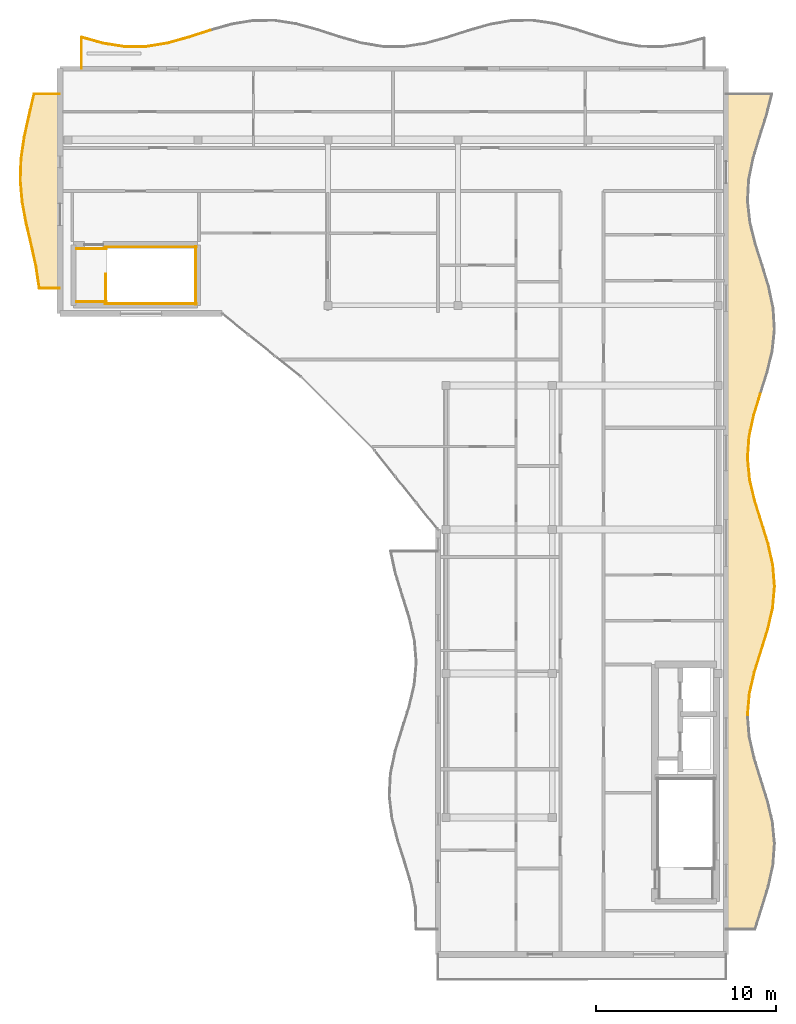
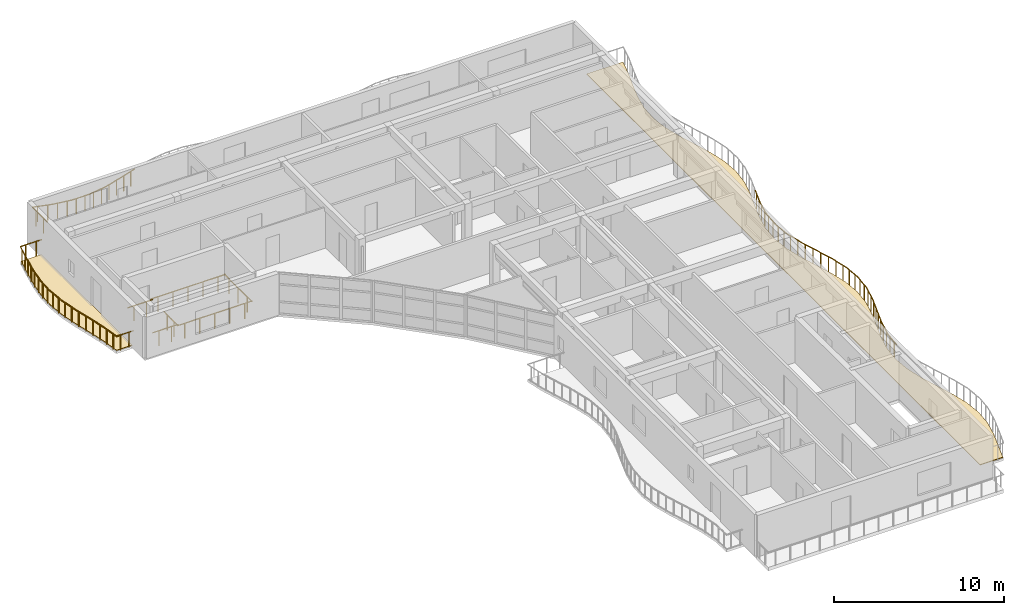
# One storey, part 13 of 14: 39 railings, 2 coverings.
"""IFC4 building model written with IfcOpenShell, lengths in metres."""

from ifc_helpers import new_model, si_unit, direction, frame, origin, origin_2d, place, context, subcontext, project, spatial, polyline, circle, outline, extrude, material, layer, layer_set, type_object, element, save


model = new_model("IFC4")

# Units and contexts
model_context = context("Model", 3, precision=1e-05, world=origin(), true_north=direction((0.0, 1.0)))
body_context = subcontext(model_context, "Body", "Model", "MODEL_VIEW")
ifc_project = project(units=[si_unit("LENGTHUNIT", "METRE"), si_unit("AREAUNIT", "SQUARE_METRE"), si_unit("VOLUMEUNIT", "CUBIC_METRE"), si_unit("PLANEANGLEUNIT", "RADIAN"), si_unit("MASSUNIT", "GRAM", prefix="KILO")], contexts=[model_context])

# Site, building, storey
site_placement = place(None, origin())
site = spatial("IfcSite", under=ifc_project, at=site_placement, CompositionType="ELEMENT")
building_placement = place(site_placement, origin())
building = spatial("IfcBuilding", under=site, at=building_placement, Name="Keldmere Railside Commons", CompositionType="ELEMENT")
storey_placement = place(building_placement, frame((0.0, 0.0, 42.56005859375)))
storey = spatial("IfcBuildingStorey", under=building, at=storey_placement, Name="L13", CompositionType="ELEMENT", Elevation=42.56005859375)

# Railings
ifc_material_1 = material(Name="Steel F-24 (S235)", Category="steel")
railing_type_1 = type_object("IfcRailingType", Name="Balcony & Terrace Steel Balustrade 1100", PredefinedType="BALUSTRADE", material=ifc_material_1)
railing_1_placement = place(storey_placement, frame((148.199951171875, 113.60009765625, 0.0)))
element("IfcRailing", 1, at=railing_1_placement, inside=storey, type_object=railing_type_1, Name="GR-1 GRD-L13-4652", PredefinedType="BALUSTRADE", context=body_context, shape_type="SweptSolid", body=[
    extrude(circle(Radius=0.02392578125, at=origin_2d()), frame((0.0, 0.0, 1.076171875), z_axis=(0.0, 1.0, 0.0), x_axis=(-1.0, 0.0, 0.0)), (0.0, 0.0, 1.0), 1.74609375),
    extrude(circle(Radius=0.02099609375, at=origin_2d()), frame((0.0, 0.4365234375, 0.0)), (0.0, 0.0, 1.0), 1.048095703125),
    extrude(circle(Radius=0.02099609375, at=origin_2d()), frame((0.0, 1.3095703125, 0.0)), (0.0, 0.0, 1.0), 1.048095703125),
])
railing_2_placement = place(storey_placement, frame((148.199951171875, 115.34619140625, 0.0)))
element("IfcRailing", 2, at=railing_2_placement, inside=storey, type_object=railing_type_1, Name="GR-1 GRD-L13-4653", PredefinedType="BALUSTRADE", context=body_context, shape_type="SweptSolid", body=[
    extrude(circle(Radius=0.02392578125, at=origin_2d()), frame((0.0, 0.0, 1.076171875), z_axis=(0.963390709295, -0.268101363749, 0.0), x_axis=(0.268101363749, 0.963390709295, 0.0)), (0.0, 0.0, 1.0), 1.238525390625),
    extrude(circle(Radius=0.02099609375, at=origin_2d()), frame((0.29833984375, -0.0830078125, 0.0)), (0.0, 0.0, 1.0), 1.048095703125),
    extrude(circle(Radius=0.02099609375, at=origin_2d()), frame((0.894775390625, -0.2490234375, 0.0)), (0.0, 0.0, 1.0), 1.048095703125),
])
railing_3_placement = place(storey_placement, frame((149.39306640625, 115.01416015625, 0.0)))
element("IfcRailing", 3, at=railing_3_placement, inside=storey, type_object=railing_type_1, Name="GR-1 GRD-L13-4654", PredefinedType="BALUSTRADE", context=body_context, shape_type="SweptSolid", body=[
    extrude(circle(Radius=0.02392578125, at=origin_2d()), frame((0.0, 0.0, 1.076171875), z_axis=(0.987563910611, -0.157218072939, 0.0), x_axis=(0.157218072939, 0.987563910611, 0.0)), (0.0, 0.0, 1.0), 1.208251953125),
    extrude(circle(Radius=0.02099609375, at=origin_2d()), frame((0.29833984375, -0.04736328125, 0.0)), (0.0, 0.0, 1.0), 1.048095703125),
    extrude(circle(Radius=0.02099609375, at=origin_2d()), frame((0.894775390625, -0.142578125, 0.0)), (0.0, 0.0, 1.0), 1.048095703125),
])
railing_4_placement = place(storey_placement, frame((150.586181640625, 114.82421875, 0.0)))
element("IfcRailing", 4, at=railing_4_placement, inside=storey, type_object=railing_type_1, Name="GR-1 GRD-L13-4655", PredefinedType="BALUSTRADE", context=body_context, shape_type="SweptSolid", body=[
    extrude(circle(Radius=0.02392578125, at=origin_2d()), frame((0.0, 0.0, 1.076171875), z_axis=(0.999998304221, 0.001841617503, 0.0), x_axis=(-0.001841617503, 0.999998304221, 0.0)), (0.0, 0.0, 1.0), 1.193115234375),
    extrude(circle(Radius=0.02099609375, at=origin_2d()), frame((0.29833984375, 0.00048828125, 0.0)), (0.0, 0.0, 1.0), 1.048095703125),
    extrude(circle(Radius=0.02099609375, at=origin_2d()), frame((0.894775390625, 0.001708984375, 0.0)), (0.0, 0.0, 1.0), 1.048095703125),
])
railing_5_placement = place(storey_placement, frame((151.779296875, 114.826416015625, 0.0)))
element("IfcRailing", 5, at=railing_5_placement, inside=storey, type_object=railing_type_1, Name="GR-1 GRD-L13-4656", PredefinedType="BALUSTRADE", context=body_context, shape_type="SweptSolid", body=[
    extrude(circle(Radius=0.02392578125, at=origin_2d()), frame((0.0, 0.0, 1.076171875), z_axis=(0.987025140999, 0.16056578414, 0.0), x_axis=(-0.16056578414, 0.987025140999, 0.0)), (0.0, 0.0, 1.0), 1.208740234375),
    extrude(circle(Radius=0.02099609375, at=origin_2d()), frame((0.29833984375, 0.048583984375, 0.0)), (0.0, 0.0, 1.0), 1.048095703125),
    extrude(circle(Radius=0.02099609375, at=origin_2d()), frame((0.894775390625, 0.1455078125, 0.0)), (0.0, 0.0, 1.0), 1.048095703125),
])
railing_6_placement = place(storey_placement, frame((152.972412109375, 115.0205078125, 0.0)))
element("IfcRailing", 6, at=railing_6_placement, inside=storey, type_object=railing_type_1, Name="GR-1 GRD-L13-4657", PredefinedType="BALUSTRADE", context=body_context, shape_type="SweptSolid", body=[
    extrude(circle(Radius=0.02392578125, at=origin_2d()), frame((0.0, 0.0, 1.076171875), z_axis=(0.962931270171, 0.269746860828, 0.0), x_axis=(-0.269746860828, 0.962931270171, 0.0)), (0.0, 0.0, 1.0), 1.239013671875),
    extrude(circle(Radius=0.02099609375, at=origin_2d()), frame((0.29833984375, 0.08349609375, 0.0)), (0.0, 0.0, 1.0), 1.048095703125),
    extrude(circle(Radius=0.02099609375, at=origin_2d()), frame((0.894775390625, 0.250732421875, 0.0)), (0.0, 0.0, 1.0), 1.048095703125),
])
railing_7_placement = place(storey_placement, frame((154.16552734375, 115.354736328125, 0.0)))
element("IfcRailing", 7, at=railing_7_placement, inside=storey, type_object=railing_type_1, Name="GR-1 GRD-L13-4658", PredefinedType="BALUSTRADE", context=body_context, shape_type="SweptSolid", body=[
    extrude(circle(Radius=0.02392578125, at=origin_2d()), frame((0.0, 0.0, 1.076171875), z_axis=(0.951449549568, 0.307804734575, 0.0), x_axis=(-0.307804734575, 0.951449549568, 0.0)), (0.0, 0.0, 1.0), 1.25390625),
    extrude(circle(Radius=0.02099609375, at=origin_2d()), frame((0.29833984375, 0.096435546875, 0.0)), (0.0, 0.0, 1.0), 1.048095703125),
    extrude(circle(Radius=0.02099609375, at=origin_2d()), frame((0.894775390625, 0.28955078125, 0.0)), (0.0, 0.0, 1.0), 1.048095703125),
])
railing_8_placement = place(storey_placement, frame((185.2001953125, 77.697509765625, 0.0)))
element("IfcRailing", 8, at=railing_8_placement, inside=storey, type_object=railing_type_1, Name="GR-1 GRD-L13-4713", PredefinedType="BALUSTRADE", context=body_context, shape_type="SweptSolid", body=[
    extrude(circle(Radius=0.02392578125, at=origin_2d()), frame((0.0, 0.0, 1.076171875), z_axis=(0.08647963894, 0.996253618337, 0.0), x_axis=(-0.996253618337, 0.08647963894, 0.0)), (0.0, 0.0, 1.0), 1.194091796875),
    extrude(circle(Radius=0.02099609375, at=origin_2d()), frame((0.02587890625, 0.29736328125, 0.0)), (0.0, 0.0, 1.0), 1.048095703125),
    extrude(circle(Radius=0.02099609375, at=origin_2d()), frame((0.077392578125, 0.892333984375, 0.0)), (0.0, 0.0, 1.0), 1.048095703125),
])
railing_9_placement = place(storey_placement, frame((185.303466796875, 78.88720703125, 0.0)))
element("IfcRailing", 9, at=railing_9_placement, inside=storey, type_object=railing_type_1, Name="GR-1 GRD-L13-4714", PredefinedType="BALUSTRADE", context=body_context, shape_type="SweptSolid", body=[
    extrude(circle(Radius=0.02392578125, at=origin_2d()), frame((0.0, 0.0, 1.076171875), z_axis=(0.224377505039, 0.974502301297, 0.0), x_axis=(-0.974502301297, 0.224377505039, 0.0)), (0.0, 0.0, 1.0), 1.220947265625),
    extrude(circle(Radius=0.02099609375, at=origin_2d()), frame((0.068359375, 0.29736328125, 0.0)), (0.0, 0.0, 1.0), 1.048095703125),
    extrude(circle(Radius=0.02099609375, at=origin_2d()), frame((0.20556640625, 0.892333984375, 0.0)), (0.0, 0.0, 1.0), 1.048095703125),
])
railing_10_placement = place(storey_placement, frame((185.577392578125, 80.076904296875, 0.0)))
element("IfcRailing", 10, at=railing_10_placement, inside=storey, type_object=railing_type_1, Name="GR-1 GRD-L13-4715", PredefinedType="BALUSTRADE", context=body_context, shape_type="SweptSolid", body=[
    extrude(circle(Radius=0.02392578125, at=origin_2d()), frame((0.0, 0.0, 1.076171875), z_axis=(0.298308450998, 0.954469521809, 0.0), x_axis=(-0.954469521809, 0.298308450998, 0.0)), (0.0, 0.0, 1.0), 1.246337890625),
    extrude(circle(Radius=0.02099609375, at=origin_2d()), frame((0.093017578125, 0.29736328125, 0.0)), (0.0, 0.0, 1.0), 1.048095703125),
    extrude(circle(Radius=0.02099609375, at=origin_2d()), frame((0.27880859375, 0.892333984375, 0.0)), (0.0, 0.0, 1.0), 1.048095703125),
])
railing_11_placement = place(storey_placement, frame((185.94921875, 81.2666015625, 0.0)))
element("IfcRailing", 11, at=railing_11_placement, inside=storey, type_object=railing_type_1, Name="GR-1 GRD-L13-4716", PredefinedType="BALUSTRADE", context=body_context, shape_type="SweptSolid", body=[
    extrude(circle(Radius=0.02392578125, at=origin_2d()), frame((0.0, 0.0, 1.076171875), z_axis=(0.298665266429, 0.954357930039, 0.0), x_axis=(-0.954357930039, 0.298665266429, 0.0)), (0.0, 0.0, 1.0), 1.24658203125),
    extrude(circle(Radius=0.02099609375, at=origin_2d()), frame((0.093017578125, 0.29736328125, 0.0)), (0.0, 0.0, 1.0), 1.048095703125),
    extrude(circle(Radius=0.02099609375, at=origin_2d()), frame((0.279296875, 0.892333984375, 0.0)), (0.0, 0.0, 1.0), 1.048095703125),
])
railing_12_placement = place(storey_placement, frame((186.321533203125, 82.456298828125, 0.0)))
element("IfcRailing", 12, at=railing_12_placement, inside=storey, type_object=railing_type_1, Name="GR-1 GRD-L13-4717", PredefinedType="BALUSTRADE", context=body_context, shape_type="SweptSolid", body=[
    extrude(circle(Radius=0.02392578125, at=origin_2d()), frame((0.0, 0.0, 1.076171875), z_axis=(0.224523652486, 0.974468639554, 0.0), x_axis=(-0.974468639554, 0.224523652486, 0.0)), (0.0, 0.0, 1.0), 1.22119140625),
    extrude(circle(Radius=0.02099609375, at=origin_2d()), frame((0.068603515625, 0.29736328125, 0.0)), (0.0, 0.0, 1.0), 1.048095703125),
    extrude(circle(Radius=0.02099609375, at=origin_2d()), frame((0.20556640625, 0.892578125, 0.0)), (0.0, 0.0, 1.0), 1.048095703125),
])
railing_13_placement = place(storey_placement, frame((186.595703125, 83.646240234375, 0.0)))
element("IfcRailing", 13, at=railing_13_placement, inside=storey, type_object=railing_type_1, Name="GR-1 GRD-L13-4718", PredefinedType="BALUSTRADE", context=body_context, shape_type="SweptSolid", body=[
    extrude(circle(Radius=0.02392578125, at=origin_2d()), frame((0.0, 0.0, 1.076171875), z_axis=(0.087291211029, 0.996182836871, 0.0), x_axis=(-0.996182836871, 0.087291211029, 0.0)), (0.0, 0.0, 1.0), 1.1943359375),
    extrude(circle(Radius=0.02099609375, at=origin_2d()), frame((0.026123046875, 0.29736328125, 0.0)), (0.0, 0.0, 1.0), 1.048095703125),
    extrude(circle(Radius=0.02099609375, at=origin_2d()), frame((0.078125, 0.892333984375, 0.0)), (0.0, 0.0, 1.0), 1.048095703125),
])
railing_14_placement = place(storey_placement, frame((186.699951171875, 84.8359375, 0.0)))
element("IfcRailing", 14, at=railing_14_placement, inside=storey, type_object=railing_type_1, Name="GR-1 GRD-L13-4719", PredefinedType="BALUSTRADE", context=body_context, shape_type="SweptSolid", body=[
    extrude(circle(Radius=0.02392578125, at=origin_2d()), frame((0.0, 0.0, 1.076171875), z_axis=(-0.078354706198, 0.996925543868, 0.0), x_axis=(-0.996925543868, -0.078354706198, 0.0)), (0.0, 0.0, 1.0), 1.193359375),
    extrude(circle(Radius=0.02099609375, at=origin_2d()), frame((-0.0234375, 0.29736328125, 0.0)), (0.0, 0.0, 1.0), 1.048095703125),
    extrude(circle(Radius=0.02099609375, at=origin_2d()), frame((-0.070068359375, 0.892333984375, 0.0)), (0.0, 0.0, 1.0), 1.048095703125),
])
railing_15_placement = place(storey_placement, frame((186.6064453125, 86.025634765625, 0.0)))
element("IfcRailing", 15, at=railing_15_placement, inside=storey, type_object=railing_type_1, Name="GR-1 GRD-L13-4720", PredefinedType="BALUSTRADE", context=body_context, shape_type="SweptSolid", body=[
    extrude(circle(Radius=0.02392578125, at=origin_2d()), frame((0.0, 0.0, 1.076171875), z_axis=(-0.218478037284, 0.97584186589, 0.0), x_axis=(-0.97584186589, -0.218478037284, 0.0)), (0.0, 0.0, 1.0), 1.21923828125),
    extrude(circle(Radius=0.02099609375, at=origin_2d()), frame((-0.066650390625, 0.29736328125, 0.0)), (0.0, 0.0, 1.0), 1.048095703125),
    extrude(circle(Radius=0.02099609375, at=origin_2d()), frame((-0.19970703125, 0.892333984375, 0.0)), (0.0, 0.0, 1.0), 1.048095703125),
])
railing_16_placement = place(storey_placement, frame((186.340087890625, 87.21533203125, 0.0)))
element("IfcRailing", 16, at=railing_16_placement, inside=storey, type_object=railing_type_1, Name="GR-1 GRD-L13-4721", PredefinedType="BALUSTRADE", context=body_context, shape_type="SweptSolid", body=[
    extrude(circle(Radius=0.02392578125, at=origin_2d()), frame((0.0, 0.0, 1.076171875), z_axis=(-0.296343732189, 0.955081353808, 0.0), x_axis=(-0.955081353808, -0.296343732189, 0.0)), (0.0, 0.0, 1.0), 1.24560546875),
    extrude(circle(Radius=0.02099609375, at=origin_2d()), frame((-0.09228515625, 0.29736328125, 0.0)), (0.0, 0.0, 1.0), 1.048095703125),
    extrude(circle(Radius=0.02099609375, at=origin_2d()), frame((-0.27685546875, 0.892333984375, 0.0)), (0.0, 0.0, 1.0), 1.048095703125),
])
railing_17_placement = place(storey_placement, frame((185.970947265625, 88.405029296875, 0.0)))
element("IfcRailing", 17, at=railing_17_placement, inside=storey, type_object=railing_type_1, Name="GR-1 GRD-L13-4722", PredefinedType="BALUSTRADE", context=body_context, shape_type="SweptSolid", body=[
    extrude(circle(Radius=0.02392578125, at=origin_2d()), frame((0.0, 0.0, 1.076171875), z_axis=(-0.300391383681, 0.953816028703, 0.0), x_axis=(-0.953816028703, -0.300391383681, 0.0)), (0.0, 0.0, 1.0), 1.24755859375),
    extrude(circle(Radius=0.02099609375, at=origin_2d()), frame((-0.09375, 0.29736328125, 0.0)), (0.0, 0.0, 1.0), 1.048095703125),
    extrude(circle(Radius=0.02099609375, at=origin_2d()), frame((-0.281005859375, 0.892578125, 0.0)), (0.0, 0.0, 1.0), 1.048095703125),
])
railing_18_placement = place(storey_placement, frame((185.59619140625, 89.594970703125, 0.0)))
element("IfcRailing", 18, at=railing_18_placement, inside=storey, type_object=railing_type_1, Name="GR-1 GRD-L13-4723", PredefinedType="BALUSTRADE", context=body_context, shape_type="SweptSolid", body=[
    extrude(circle(Radius=0.02392578125, at=origin_2d()), frame((0.0, 0.0, 1.076171875), z_axis=(-0.230252406242, 0.973130941559, 0.0), x_axis=(-0.973130941559, -0.230252406242, 0.0)), (0.0, 0.0, 1.0), 1.22265625),
    extrude(circle(Radius=0.02099609375, at=origin_2d()), frame((-0.0703125, 0.29736328125, 0.0)), (0.0, 0.0, 1.0), 1.048095703125),
    extrude(circle(Radius=0.02099609375, at=origin_2d()), frame((-0.211181640625, 0.892333984375, 0.0)), (0.0, 0.0, 1.0), 1.048095703125),
])
railing_19_placement = place(storey_placement, frame((185.314697265625, 90.78466796875, 0.0)))
element("IfcRailing", 19, at=railing_19_placement, inside=storey, type_object=railing_type_1, Name="GR-1 GRD-L13-4724", PredefinedType="BALUSTRADE", context=body_context, shape_type="SweptSolid", body=[
    extrude(circle(Radius=0.02392578125, at=origin_2d()), frame((0.0, 0.0, 1.076171875), z_axis=(-0.095397116925, 0.995439295026, 0.0), x_axis=(-0.995439295026, -0.095397116925, 0.0)), (0.0, 0.0, 1.0), 1.195068359375),
    extrude(circle(Radius=0.02099609375, at=origin_2d()), frame((-0.028564453125, 0.29736328125, 0.0)), (0.0, 0.0, 1.0), 1.048095703125),
    extrude(circle(Radius=0.02099609375, at=origin_2d()), frame((-0.08544921875, 0.892333984375, 0.0)), (0.0, 0.0, 1.0), 1.048095703125),
])
railing_20_placement = place(storey_placement, frame((185.20068359375, 91.974365234375, 0.0)))
element("IfcRailing", 20, at=railing_20_placement, inside=storey, type_object=railing_type_1, Name="GR-1 GRD-L13-4725", PredefinedType="BALUSTRADE", context=body_context, shape_type="SweptSolid", body=[
    extrude(circle(Radius=0.02392578125, at=origin_2d()), frame((0.0, 0.0, 1.076171875), z_axis=(0.069806719187, 0.997560535485, 0.0), x_axis=(-0.997560535485, 0.069806719187, 0.0)), (0.0, 0.0, 1.0), 1.192626953125),
    extrude(circle(Radius=0.02099609375, at=origin_2d()), frame((0.020751953125, 0.29736328125, 0.0)), (0.0, 0.0, 1.0), 1.048095703125),
    extrude(circle(Radius=0.02099609375, at=origin_2d()), frame((0.0625, 0.892333984375, 0.0)), (0.0, 0.0, 1.0), 1.048095703125),
])
railing_21_placement = place(storey_placement, frame((185.283935546875, 93.1640625, 0.0)))
element("IfcRailing", 21, at=railing_21_placement, inside=storey, type_object=railing_type_1, Name="GR-1 GRD-L13-4726", PredefinedType="BALUSTRADE", context=body_context, shape_type="SweptSolid", body=[
    extrude(circle(Radius=0.02392578125, at=origin_2d()), frame((0.0, 0.0, 1.076171875), z_axis=(0.212745968475, 0.977107544182, 0.0), x_axis=(-0.977107544182, 0.212745968475, 0.0)), (0.0, 0.0, 1.0), 1.217529296875),
    extrude(circle(Radius=0.02099609375, at=origin_2d()), frame((0.064697265625, 0.29736328125, 0.0)), (0.0, 0.0, 1.0), 1.048095703125),
    extrude(circle(Radius=0.02099609375, at=origin_2d()), frame((0.1943359375, 0.892333984375, 0.0)), (0.0, 0.0, 1.0), 1.048095703125),
])
railing_22_placement = place(storey_placement, frame((185.54296875, 94.353759765625, 0.0)))
element("IfcRailing", 22, at=railing_22_placement, inside=storey, type_object=railing_type_1, Name="GR-1 GRD-L13-4727", PredefinedType="BALUSTRADE", context=body_context, shape_type="SweptSolid", body=[
    extrude(circle(Radius=0.02392578125, at=origin_2d()), frame((0.0, 0.0, 1.076171875), z_axis=(0.293961823019, 0.955817161704, 0.0), x_axis=(-0.955817161704, 0.293961823019, 0.0)), (0.0, 0.0, 1.0), 1.244873046875),
    extrude(circle(Radius=0.02099609375, at=origin_2d()), frame((0.091552734375, 0.29736328125, 0.0)), (0.0, 0.0, 1.0), 1.048095703125),
    extrude(circle(Radius=0.02099609375, at=origin_2d()), frame((0.2744140625, 0.892578125, 0.0)), (0.0, 0.0, 1.0), 1.048095703125),
])
railing_23_placement = place(storey_placement, frame((147.0, 101.39990234375, 0.0)))
element("IfcRailing", 23, at=railing_23_placement, inside=storey, type_object=railing_type_1, Name="GR-1 GRD-L13-4743", PredefinedType="BALUSTRADE", context=body_context, shape_type="SweptSolid", body=[
    extrude(circle(Radius=0.02392578125, at=origin_2d()), frame((0.0, 0.0, 1.076171875), z_axis=(-1.0, 0.0, 0.0), x_axis=(0.0, -1.0, 0.0)), (0.0, 0.0, 1.0), 1.144287109375),
    extrude(circle(Radius=0.02099609375, at=origin_2d()), frame((-0.2861328125, 0.0, 0.0)), (0.0, 0.0, 1.0), 1.048095703125),
    extrude(circle(Radius=0.02099609375, at=origin_2d()), frame((-0.858154296875, 0.0, 0.0)), (0.0, 0.0, 1.0), 1.048095703125),
])
railing_24_placement = place(storey_placement, frame((145.855712890625, 101.39990234375, 0.0)))
element("IfcRailing", 24, at=railing_24_placement, inside=storey, type_object=railing_type_1, Name="GR-1 GRD-L13-4744", PredefinedType="BALUSTRADE", context=body_context, shape_type="SweptSolid", body=[
    extrude(circle(Radius=0.02392578125, at=origin_2d()), frame((0.0, 0.0, 1.076171875), z_axis=(-0.145111560414, 0.989415299576, 0.0), x_axis=(-0.989415299576, -0.145111560414, 0.0)), (0.0, 0.0, 1.0), 1.213134765625),
    extrude(circle(Radius=0.02099609375, at=origin_2d()), frame((-0.0439453125, 0.300048828125, 0.0)), (0.0, 0.0, 1.0), 1.048095703125),
    extrude(circle(Radius=0.02099609375, at=origin_2d()), frame((-0.132080078125, 0.900146484375, 0.0)), (0.0, 0.0, 1.0), 1.048095703125),
])
railing_25_placement = place(storey_placement, frame((145.6796875, 102.60009765625, 0.0)))
element("IfcRailing", 25, at=railing_25_placement, inside=storey, type_object=railing_type_1, Name="GR-1 GRD-L13-4745", PredefinedType="BALUSTRADE", context=body_context, shape_type="SweptSolid", body=[
    extrude(circle(Radius=0.02392578125, at=origin_2d()), frame((0.0, 0.0, 1.076171875), z_axis=(-0.215183954515, 0.976573533186, 0.0), x_axis=(-0.976573533186, -0.215183954515, 0.0)), (0.0, 0.0, 1.0), 1.228759765625),
    extrude(circle(Radius=0.02099609375, at=origin_2d()), frame((-0.066162109375, 0.300048828125, 0.0)), (0.0, 0.0, 1.0), 1.048095703125),
    extrude(circle(Radius=0.02099609375, at=origin_2d()), frame((-0.1982421875, 0.89990234375, 0.0)), (0.0, 0.0, 1.0), 1.048095703125),
])
railing_26_placement = place(storey_placement, frame((145.415283203125, 103.800048828125, 0.0)))
element("IfcRailing", 26, at=railing_26_placement, inside=storey, type_object=railing_type_1, Name="GR-1 GRD-L13-4746", PredefinedType="BALUSTRADE", context=body_context, shape_type="SweptSolid", body=[
    extrude(circle(Radius=0.02392578125, at=origin_2d()), frame((0.0, 0.0, 1.076171875), z_axis=(-0.228575623349, 0.973526160106, 0.0), x_axis=(-0.973526160106, -0.228575623349, 0.0)), (0.0, 0.0, 1.0), 1.232666015625),
    extrude(circle(Radius=0.02099609375, at=origin_2d()), frame((-0.0703125, 0.300048828125, 0.0)), (0.0, 0.0, 1.0), 1.048095703125),
    extrude(circle(Radius=0.02099609375, at=origin_2d()), frame((-0.21142578125, 0.89990234375, 0.0)), (0.0, 0.0, 1.0), 1.048095703125),
])
railing_27_placement = place(storey_placement, frame((145.133544921875, 105.0, 0.0)))
element("IfcRailing", 27, at=railing_27_placement, inside=storey, type_object=railing_type_1, Name="GR-1 GRD-L13-4747", PredefinedType="BALUSTRADE", context=body_context, shape_type="SweptSolid", body=[
    extrude(circle(Radius=0.02392578125, at=origin_2d()), frame((0.0, 0.0, 1.076171875), z_axis=(-0.183213627936, 0.983073123699, 0.0), x_axis=(-0.983073123699, -0.183213627936, 0.0)), (0.0, 0.0, 1.0), 1.220703125),
    extrude(circle(Radius=0.02099609375, at=origin_2d()), frame((-0.055908203125, 0.300048828125, 0.0)), (0.0, 0.0, 1.0), 1.048095703125),
    extrude(circle(Radius=0.02099609375, at=origin_2d()), frame((-0.167724609375, 0.89990234375, 0.0)), (0.0, 0.0, 1.0), 1.048095703125),
])
railing_28_placement = place(storey_placement, frame((144.909912109375, 106.199951171875, 0.0)))
element("IfcRailing", 28, at=railing_28_placement, inside=storey, type_object=railing_type_1, Name="GR-1 GRD-L13-4748", PredefinedType="BALUSTRADE", context=body_context, shape_type="SweptSolid", body=[
    extrude(circle(Radius=0.02392578125, at=origin_2d()), frame((0.0, 0.0, 1.076171875), z_axis=(-0.087958873337, 0.996124107028, 0.0), x_axis=(-0.996124107028, -0.087958873337, 0.0)), (0.0, 0.0, 1.0), 1.20458984375),
    extrude(circle(Radius=0.02099609375, at=origin_2d()), frame((-0.0263671875, 0.300048828125, 0.0)), (0.0, 0.0, 1.0), 1.048095703125),
    extrude(circle(Radius=0.02099609375, at=origin_2d()), frame((-0.07958984375, 0.89990234375, 0.0)), (0.0, 0.0, 1.0), 1.048095703125),
])
railing_29_placement = place(storey_placement, frame((144.803955078125, 107.39990234375, 0.0)))
element("IfcRailing", 29, at=railing_29_placement, inside=storey, type_object=railing_type_1, Name="GR-1 GRD-L13-4749", PredefinedType="BALUSTRADE", context=body_context, shape_type="SweptSolid", body=[
    extrude(circle(Radius=0.02392578125, at=origin_2d()), frame((0.0, 0.0, 1.076171875), z_axis=(0.03374805569, 0.999430372131, 0.0), x_axis=(-0.999430372131, 0.03374805569, 0.0)), (0.0, 0.0, 1.0), 1.200927734375),
    extrude(circle(Radius=0.02099609375, at=origin_2d()), frame((0.01025390625, 0.300048828125, 0.0)), (0.0, 0.0, 1.0), 1.048095703125),
    extrude(circle(Radius=0.02099609375, at=origin_2d()), frame((0.0302734375, 0.900146484375, 0.0)), (0.0, 0.0, 1.0), 1.048095703125),
])
railing_30_placement = place(storey_placement, frame((144.844482421875, 108.60009765625, 0.0)))
element("IfcRailing", 30, at=railing_30_placement, inside=storey, type_object=railing_type_1, Name="GR-1 GRD-L13-4750", PredefinedType="BALUSTRADE", context=body_context, shape_type="SweptSolid", body=[
    extrude(circle(Radius=0.02392578125, at=origin_2d()), frame((0.0, 0.0, 1.076171875), z_axis=(0.144943390359, 0.989439949462, 0.0), x_axis=(-0.989439949462, 0.144943390359, 0.0)), (0.0, 0.0, 1.0), 1.212646484375),
    extrude(circle(Radius=0.02099609375, at=origin_2d()), frame((0.0439453125, 0.300048828125, 0.0)), (0.0, 0.0, 1.0), 1.048095703125),
    extrude(circle(Radius=0.02099609375, at=origin_2d()), frame((0.1318359375, 0.89990234375, 0.0)), (0.0, 0.0, 1.0), 1.048095703125),
])
railing_31_placement = place(storey_placement, frame((145.020263671875, 109.800048828125, 0.0)))
element("IfcRailing", 31, at=railing_31_placement, inside=storey, type_object=railing_type_1, Name="GR-1 GRD-L13-4751", PredefinedType="BALUSTRADE", context=body_context, shape_type="SweptSolid", body=[
    extrude(circle(Radius=0.02392578125, at=origin_2d()), frame((0.0, 0.0, 1.076171875), z_axis=(0.215183954515, 0.976573533186, 0.0), x_axis=(-0.976573533186, 0.215183954515, 0.0)), (0.0, 0.0, 1.0), 1.228759765625),
    extrude(circle(Radius=0.02099609375, at=origin_2d()), frame((0.066162109375, 0.300048828125, 0.0)), (0.0, 0.0, 1.0), 1.048095703125),
    extrude(circle(Radius=0.02099609375, at=origin_2d()), frame((0.1982421875, 0.89990234375, 0.0)), (0.0, 0.0, 1.0), 1.048095703125),
])
railing_32_placement = place(storey_placement, frame((145.28466796875, 111.0, 0.0)))
element("IfcRailing", 32, at=railing_32_placement, inside=storey, type_object=railing_type_1, Name="GR-1 GRD-L13-4752", PredefinedType="BALUSTRADE", context=body_context, shape_type="SweptSolid", body=[
    extrude(circle(Radius=0.02392578125, at=origin_2d()), frame((0.0, 0.0, 1.076171875), z_axis=(0.228575623349, 0.973526160106, 0.0), x_axis=(-0.973526160106, 0.228575623349, 0.0)), (0.0, 0.0, 1.0), 1.232666015625),
    extrude(circle(Radius=0.02099609375, at=origin_2d()), frame((0.0703125, 0.300048828125, 0.0)), (0.0, 0.0, 1.0), 1.048095703125),
    extrude(circle(Radius=0.02099609375, at=origin_2d()), frame((0.21142578125, 0.89990234375, 0.0)), (0.0, 0.0, 1.0), 1.048095703125),
])
railing_33_placement = place(storey_placement, frame((145.56640625, 112.199951171875, 0.0)))
element("IfcRailing", 33, at=railing_33_placement, inside=storey, type_object=railing_type_1, Name="GR-1 GRD-L13-4753", PredefinedType="BALUSTRADE", context=body_context, shape_type="SweptSolid", body=[
    extrude(circle(Radius=0.02392578125, at=origin_2d()), frame((0.0, 0.0, 1.076171875), z_axis=(1.0, 0.0, 0.0), x_axis=(0.0, 1.0, 0.0)), (0.0, 0.0, 1.0), 1.43359375),
    extrude(circle(Radius=0.02099609375, at=origin_2d()), frame((0.3583984375, 0.0, 0.0)), (0.0, 0.0, 1.0), 1.048095703125),
    extrude(circle(Radius=0.02099609375, at=origin_2d()), frame((1.0751953125, 0.0, 0.0)), (0.0, 0.0, 1.0), 1.048095703125),
])
railing_type_2 = type_object("IfcRailingType", Name="Stair Well Steel Guardrail 1100", PredefinedType="BALUSTRADE", material=ifc_material_1)
railing_34_placement = place(storey_placement, frame((149.550048828125, 100.60009765625, 0.0)))
element("IfcRailing", 34, at=railing_34_placement, inside=storey, type_object=railing_type_2, Name="L13 ST-A2 top well guard 1", PredefinedType="BALUSTRADE", context=body_context, shape_type="SweptSolid", body=[
    extrude(circle(Radius=0.02392578125, at=origin_2d()), frame((0.0, 0.0, 1.076171875), z_axis=(0.0, 1.0, 0.0), x_axis=(-1.0, 0.0, 0.0)), (0.0, 0.0, 1.0), 1.599853515625),
    extrude(circle(Radius=0.02099609375, at=origin_2d()), frame((0.0, 0.39990234375, 0.0)), (0.0, 0.0, 1.0), 1.048095703125),
    extrude(circle(Radius=0.02099609375, at=origin_2d()), frame((0.0, 1.199951171875, 0.0)), (0.0, 0.0, 1.0), 1.048095703125),
])
for number, where, name in (
    (35, (149.5, 100.550048828125, 0.0), "L13 ST-A2 top well guard 2"),
    (36, (149.5, 103.699951171875, 0.0), "L13 ST-A2 top well guard 3"),
):
    element("IfcRailing", number, at=place(storey_placement, frame(where)), inside=storey, type_object=railing_type_2, Name=name, PredefinedType="BALUSTRADE", context=body_context, shape_type="SweptSolid", body=[
        extrude(circle(Radius=0.02392578125, at=origin_2d()), frame((0.0, 0.0, 1.076171875), z_axis=(1.0, 0.0, 0.0), x_axis=(0.0, 1.0, 0.0)), (0.0, 0.0, 1.0), 5.10009765625),
        extrude(circle(Radius=0.02099609375, at=origin_2d()), frame((0.510009765625, 0.0, 0.0)), (0.0, 0.0, 1.0), 1.048095703125),
        extrude(circle(Radius=0.02099609375, at=origin_2d()), frame((1.530029296875, 0.0, 0.0)), (0.0, 0.0, 1.0), 1.048095703125),
        extrude(circle(Radius=0.02099609375, at=origin_2d()), frame((2.550048828125, 0.0, 0.0)), (0.0, 0.0, 1.0), 1.048095703125),
        extrude(circle(Radius=0.02099609375, at=origin_2d()), frame((3.570068359375, 0.0, 0.0)), (0.0, 0.0, 1.0), 1.048095703125),
        extrude(circle(Radius=0.02099609375, at=origin_2d()), frame((4.590087890625, 0.0, 0.0)), (0.0, 0.0, 1.0), 1.048095703125),
    ])
railing_35_placement = place(storey_placement, frame((154.550048828125, 100.5, 0.0)))
element("IfcRailing", 37, at=railing_35_placement, inside=storey, type_object=railing_type_2, Name="L13 ST-A2 top well guard 4", PredefinedType="BALUSTRADE", context=body_context, shape_type="SweptSolid", body=[
    extrude(circle(Radius=0.02392578125, at=origin_2d()), frame((0.0, 0.0, 1.076171875), z_axis=(0.0, 1.0, 0.0), x_axis=(-1.0, 0.0, 0.0)), (0.0, 0.0, 1.0), 3.25),
    extrude(circle(Radius=0.02099609375, at=origin_2d()), frame((0.0, 0.541748046875, 0.0)), (0.0, 0.0, 1.0), 1.048095703125),
    extrude(circle(Radius=0.02099609375, at=origin_2d()), frame((0.0, 1.625, 0.0)), (0.0, 0.0, 1.0), 1.048095703125),
    extrude(circle(Radius=0.02099609375, at=origin_2d()), frame((0.0, 2.708251953125, 0.0)), (0.0, 0.0, 1.0), 1.048095703125),
])
for number, where, name in (
    (38, (147.89990234375, 100.64990234375, 0.0), "L13 ST-A2 top well guard 5"),
    (39, (147.89990234375, 103.60009765625, 0.0), "L13 ST-A2 top well guard 6"),
):
    element("IfcRailing", number, at=place(storey_placement, frame(where)), inside=storey, type_object=railing_type_2, Name=name, PredefinedType="BALUSTRADE", context=body_context, shape_type="SweptSolid", body=[
        extrude(circle(Radius=0.02392578125, at=origin_2d()), frame((0.0, 0.0, 1.076171875), z_axis=(1.0, 0.0, 0.0), x_axis=(0.0, 1.0, 0.0)), (0.0, 0.0, 1.0), 1.7001953125),
        extrude(circle(Radius=0.02099609375, at=origin_2d()), frame((0.425048828125, 0.0, 0.0)), (0.0, 0.0, 1.0), 1.048095703125),
        extrude(circle(Radius=0.02099609375, at=origin_2d()), frame((1.275146484375, 0.0, 0.0)), (0.0, 0.0, 1.0), 1.048095703125),
    ])

# Coverings
ifc_material_2 = material(Name="White Precast Concrete C35/45", Category="concrete")
ifc_layer = layer(ifc_material_2, 0.044921875, Name="White Architectural Balcony Ribbon Cladding 45")
ifc_layer_set = layer_set([ifc_layer], Name="White Precast Concrete C35/45")
covering_type = type_object("IfcCoveringType", Name="White Architectural Balcony Ribbon Cladding 45", PredefinedType="FLOORING", material=ifc_layer_set)
covering_1_placement = place(storey_placement, origin())
element("IfcCovering", 40, at=covering_1_placement, inside=storey, type_object=covering_type, Name="CLG-WB A L13 CE White Balcony Ribbon", PredefinedType="FLOORING", context=body_context, shape_type="SweptSolid", body=[
    extrude(outline(polyline([(185.951416015625, 67.001708984375), (186.317138671875, 68.189697265625), (186.57568359375, 69.375), (186.6591796875, 70.55859375), (186.54638671875, 71.7421875), (186.2666015625, 72.927978515625), (185.892333984375, 74.1162109375), (185.892333984375, 74.1162109375), (185.52294921875, 75.305908203125), (185.522216796875, 75.30908203125), (185.255126953125, 76.498779296875), (185.25439453125, 76.50439453125), (185.16015625, 77.694091796875), (185.16015625, 77.697509765625), (185.160400390625, 77.700927734375), (185.263671875, 78.890625), (185.264404296875, 78.896240234375), (185.538330078125, 80.0859375), (185.5390625, 80.0888671875), (185.9111328125, 81.278564453125), (186.282958984375, 82.466796875), (186.55615234375, 83.652587890625), (186.659912109375, 84.836181640625), (186.56689453125, 86.01953125), (186.30126953125, 87.205078125), (185.9326171875, 88.393310546875), (185.557861328125, 89.5830078125), (185.55712890625, 89.585693359375), (185.27587890625, 90.775390625), (185.27490234375, 90.78076171875), (185.160888671875, 91.970703125), (185.16064453125, 91.973876953125), (185.16064453125, 91.977294921875), (185.244140625, 93.1669921875), (185.244873046875, 93.172607421875), (185.50390625, 94.3623046875), (185.504638671875, 94.365478515625), (185.870849609375, 95.555419921875), (185.870849609375, 95.5556640625), (186.24755859375, 96.744140625), (186.534912109375, 97.929931640625), (186.658203125, 99.113525390625), (186.585205078125, 100.297119140625), (186.335205078125, 101.482421875), (185.972900390625, 102.670166015625), (185.593994140625, 103.859619140625), (185.593505859375, 103.8623046875), (185.298095703125, 105.052001953125), (185.297119140625, 105.056884765625), (185.16357421875, 106.246826171875), (185.163330078125, 106.25), (185.16357421875, 106.25341796875), (185.2265625, 107.443115234375), (185.226806640625, 107.446044921875), (185.227294921875, 107.448974609375), (185.470458984375, 108.638916015625), (185.471435546875, 108.642333984375), (185.83056640625, 109.83203125), (185.830810546875, 109.832763671875), (186.2109375, 111.021240234375), (186.499755859375, 112.159912109375), (184.0400390625, 112.159912109375), (184.0400390625, 65.840087890625), (185.58349609375, 65.840087890625), (185.951416015625, 67.001708984375)])), origin(), (0.0, 0.0, 1.0), 0.044921875),
])
covering_2_placement = place(storey_placement, origin())
element("IfcCovering", 41, at=covering_2_placement, inside=storey, type_object=covering_type, Name="CLG-WB A L13 WW White Balcony Ribbon", PredefinedType="FLOORING", context=body_context, shape_type="SweptSolid", body=[
    extrude(outline(polyline([(146.9599609375, 112.159912109375), (145.59814453125, 112.159912109375), (145.323486328125, 110.9912109375), (145.059814453125, 109.792724609375), (144.88427734375, 108.596435546875), (144.843994140625, 107.401123046875), (144.949462890625, 106.205322265625), (145.1728515625, 105.00830078125), (145.454345703125, 103.80908203125), (145.45458984375, 103.80859375), (145.71875, 102.608642578125), (145.71923828125, 102.605712890625), (145.89013671875, 101.43994140625), (146.9599609375, 101.43994140625), (146.9599609375, 112.159912109375)])), origin(), (0.0, 0.0, 1.0), 0.044921875),
])

save(model, "model.ifc")
